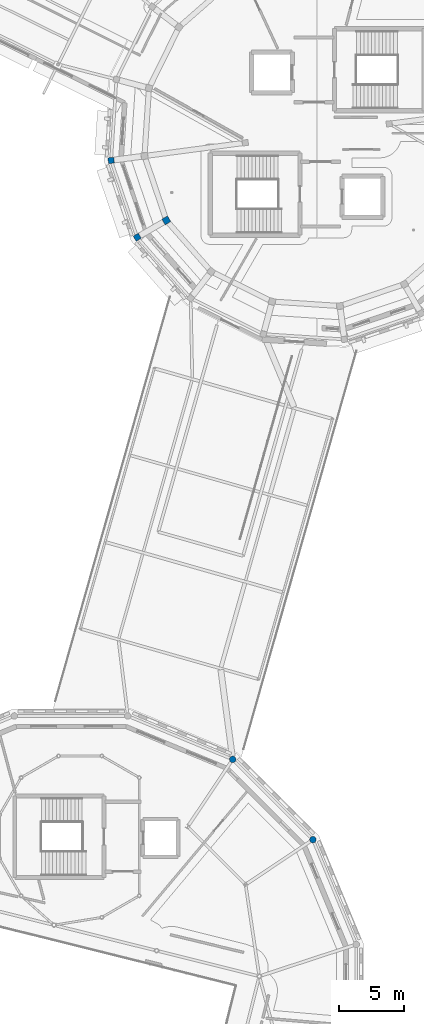
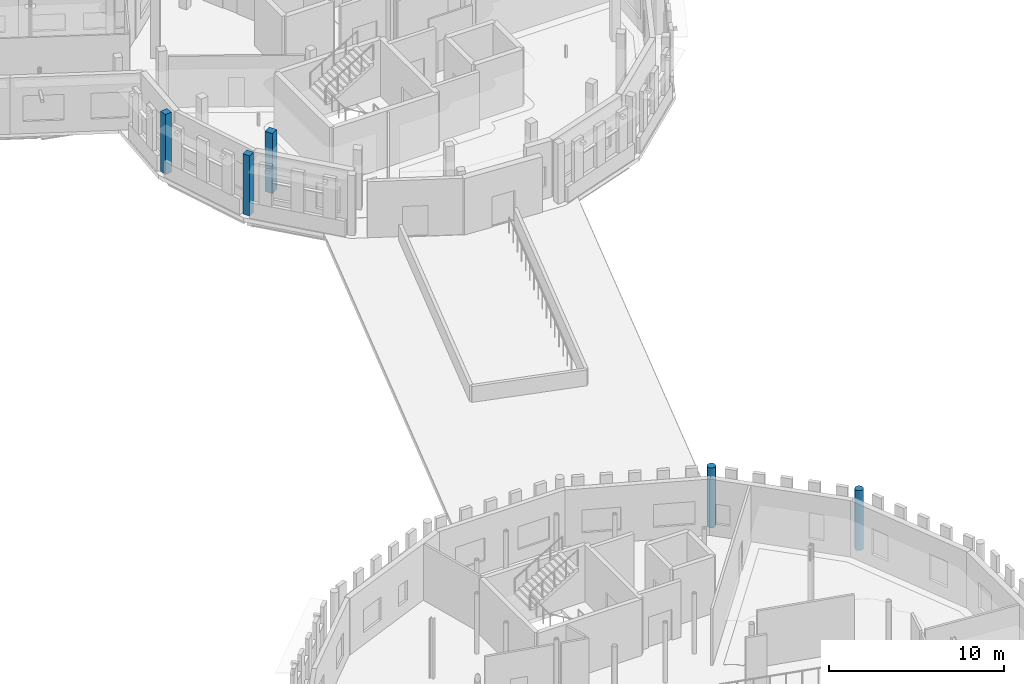
# One storey, part 14 of 68: 5 columns.
"""IFC4 building model written with IfcOpenShell, lengths in metres."""

from ifc_helpers import new_model, si_unit, direction, frame, origin, origin_2d, place, context, subcontext, project, spatial, rectangle, circle, extrude, material, material_profile, profile_set, type_object, element, save


model = new_model("IFC4")

# Units and contexts
model_context = context("Model", 3, precision=1e-05, world=origin(), true_north=direction((0.0, 1.0)))
body_context = subcontext(model_context, "Body", "Model", "MODEL_VIEW")
ifc_project = project(units=[si_unit("LENGTHUNIT", "METRE"), si_unit("AREAUNIT", "SQUARE_METRE"), si_unit("VOLUMEUNIT", "CUBIC_METRE"), si_unit("PLANEANGLEUNIT", "RADIAN"), si_unit("MASSUNIT", "GRAM", prefix="KILO")], contexts=[model_context])

# Site, building, storey
site_placement = place(None, origin())
site = spatial("IfcSite", under=ifc_project, at=site_placement, CompositionType="ELEMENT")
building_placement = place(site_placement, origin())
building = spatial("IfcBuilding", under=site, at=building_placement, Name="Wrenclough Park School", CompositionType="ELEMENT")
storey_placement = place(building_placement, frame((0.0, 0.0, 12.60009765625)))
storey = spatial("IfcBuildingStorey", under=building, at=storey_placement, Name="L03", CompositionType="ELEMENT", Elevation=12.60009765625)

# Columns
ifc_material = material(Name="Concrete C40/50", Category="concrete")
ifc_material_profile_1 = material_profile(ifc_material, rectangle(XDim=0.449951171875, YDim=0.449951171875, at=origin_2d()), Name="RC COL 450x450")
ifc_profile_set_1 = profile_set([ifc_material_profile_1], Name="Concrete C40/50")
column_type_1 = type_object("IfcColumnType", Name="STR-COL-RC450", PredefinedType="COLUMN", material=ifc_profile_set_1)
for number, where, z_axis, x_axis, name in (
    (1, (158.58740234375, 91.405029296875, 0.0), (0.0, 0.0, 1.0), (0.13052619222, -0.991444861374, 0.0), "D5 L03 column D5-OUT-09"),
    (2, (160.600341796875, 85.47509765625, 0.0), (0.0, 0.0, 1.0), (0.5, -0.866025403784, 0.0), "D5 L03 column D5-OUT-10"),
):
    element("IfcColumn", number, at=place(storey_placement, frame(where, z_axis=z_axis, x_axis=x_axis)), inside=storey, type_object=column_type_1, Name=name, PredefinedType="COLUMN", context=body_context, shape_type="SweptSolid", body=[
        extrude(rectangle(XDim=0.449951171875, YDim=0.449951171875, at=origin_2d()), origin(), (0.0, 0.0, 1.0), 4.199951171875),
    ])
ifc_material_profile_2 = material_profile(ifc_material, rectangle(XDim=0.5, YDim=0.5, at=origin_2d()), Name="RC COL 500x500")
ifc_profile_set_2 = profile_set([ifc_material_profile_2], Name="Concrete C40/50")
column_type_2 = type_object("IfcColumnType", Name="STR-COL-RC500", PredefinedType="COLUMN", material=ifc_profile_set_2)
column_placement = place(storey_placement, frame((162.85205078125, 86.77490234375, 0.0), z_axis=(0.0, 0.0, 1.0), x_axis=(0.5, -0.866025403784, 0.0)))
element("IfcColumn", 3, at=column_placement, inside=storey, type_object=column_type_2, Name="D5 L03 column D5-MID-10", PredefinedType="COLUMN", context=body_context, shape_type="SweptSolid", body=[
    extrude(rectangle(XDim=0.5, YDim=0.5, at=origin_2d()), origin(), (0.0, 0.0, 1.0), 4.199951171875),
])
ifc_material_profile_3 = material_profile(ifc_material, circle(Radius=0.25, at=origin_2d()), Name="RC COL D500")
ifc_profile_set_3 = profile_set([ifc_material_profile_3], Name="Concrete C40/50")
column_type_3 = type_object("IfcColumnType", Name="STR-COL-RCD500", PredefinedType="COLUMN", material=ifc_profile_set_3)
for number, where, z_axis, x_axis, name in (
    (4, (174.16650390625, 38.97265625, 0.0), (0.0, 0.0, 1.0), (-0.55557023302, 0.831469612303, 0.0), "D1 L03 column D1-OUT-02"),
    (5, (167.97265625, 45.16650390625, 0.0), (0.0, 0.0, 1.0), (-0.831469612303, 0.55557023302, 0.0), "D1 L03 column D1-OUT-03"),
):
    element("IfcColumn", number, at=place(storey_placement, frame(where, z_axis=z_axis, x_axis=x_axis)), inside=storey, type_object=column_type_3, Name=name, PredefinedType="COLUMN", context=body_context, shape_type="SweptSolid", body=[
        extrude(circle(Radius=0.25, at=origin_2d()), origin(), (0.0, 0.0, 1.0), 4.199951171875),
    ])

save(model, "model.ifc")
